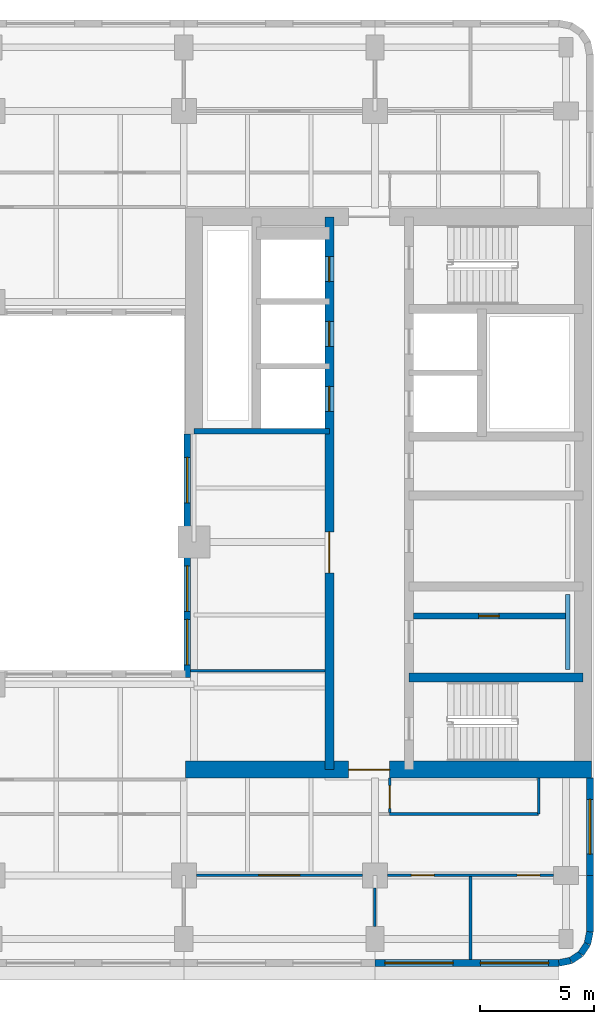
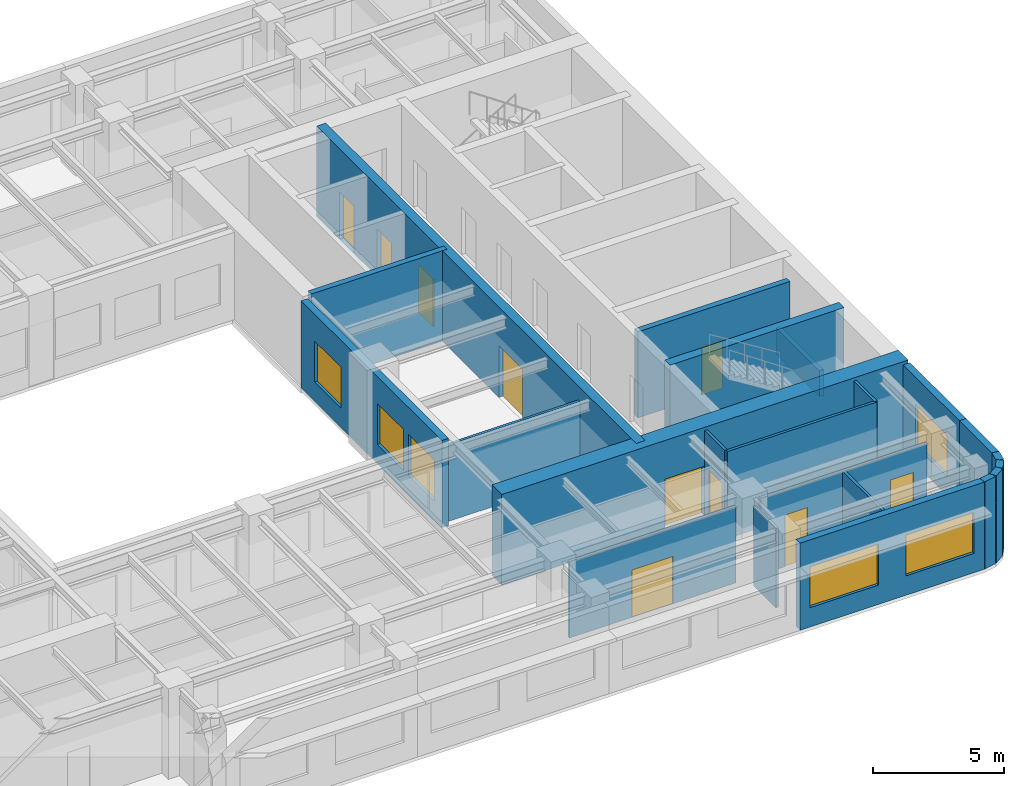
# One storey, part 5 of 11: 22 walls, 10 doors, 6 windows, 16 openings.
"""IFC4 building model written with IfcOpenShell, lengths in metres."""

from ifc_helpers import new_model, si_unit, direction, frame, frame_2d, origin, place, context, subcontext, project, spatial, rectangle, extrude, material, layer, layer_set, type_object, element, fill, save


model = new_model("IFC4")

# Units and contexts
model_context = context("Model", 3, precision=1e-05, world=origin(), true_north=direction((0.0, 1.0)))
body_context = subcontext(model_context, "Body", "Model", "MODEL_VIEW")
ifc_project = project(units=[si_unit("LENGTHUNIT", "METRE"), si_unit("AREAUNIT", "SQUARE_METRE"), si_unit("VOLUMEUNIT", "CUBIC_METRE"), si_unit("PLANEANGLEUNIT", "RADIAN"), si_unit("MASSUNIT", "GRAM", prefix="KILO")], contexts=[model_context])

# Site, building, storey
site_placement = place(None, origin())
site = spatial("IfcSite", under=ifc_project, at=site_placement, CompositionType="ELEMENT")
building_placement = place(site_placement, origin())
building = spatial("IfcBuilding", under=site, at=building_placement, Name="Claustro Exchange Tower", CompositionType="ELEMENT")
storey_placement = place(building_placement, frame((0.0, 0.0, 181.800048828125)))
storey = spatial("IfcBuildingStorey", under=building, at=storey_placement, Name="L41", CompositionType="ELEMENT", Elevation=181.800048828125)

# Wall
ifc_material_1 = material(Name="Laminated glass in aluminium frame", Category="aluminium")
ifc_layer_1 = layer(ifc_material_1, 0.1201171875)
ifc_layer_set_1 = layer_set([ifc_layer_1], Name="Laminated glass in aluminium frame")
wall_type_1 = type_object("IfcWallType", Name="P2 120 glazed partition", PredefinedType="PARTITIONING", material=ifc_layer_set_1)
wall_1_placement = place(storey_placement, frame((33.89794921875, 17.39990234375, 0.0), z_axis=(0.0, 0.0, 1.0), x_axis=(1.0, 0.0, 0.0)))
element("IfcWall", 1, at=wall_1_placement, inside=storey, type_object=wall_type_1, Name="Partition P2 L41", PredefinedType="PARTITIONING", context=body_context, shape_type="SweptSolid", body=[
    extrude(rectangle(XDim=5.904052734375, YDim=0.1201171875, at=frame_2d((2.9521484375, 0.0))), origin(), (0.0, 0.0, 1.0), 3.550048828125),
])

# Wall, opening, door
wall_2_placement = place(storey_placement, frame((34.14892578125, 8.39990234375, 0.0), z_axis=(0.0, 0.0, 1.0), x_axis=(1.0, 0.0, 0.0)))
wall_2 = element("IfcWall", 2, at=wall_2_placement, inside=storey, type_object=wall_type_1, Name="Partition P2 L41", PredefinedType="PARTITIONING", context=body_context, shape_type="SweptSolid", body=[
    extrude(rectangle(XDim=7.302001953125, YDim=0.1201171875, at=frame_2d((3.65087890625, 0.0))), origin(), (0.0, 0.0, 1.0), 3.550048828125),
])
opening_1_placement = place(wall_2_placement, frame((2.7509765625, 0.0, 0.0)))
opening_1 = element("IfcOpeningElement", 3, at=opening_1_placement, cuts=wall_2, Name="Opening D2", PredefinedType="OPENING", context=body_context, shape_type="SweptSolid", body=[
    extrude(rectangle(XDim=1.800048828125, YDim=2.199951171875, at=frame_2d((0.89990234375, 1.10009765625))), frame((0.0, 0.070068359375, 0.0), z_axis=(0.0, -1.0, 0.0), x_axis=(1.0, 0.0, 0.0)), (0.0, 0.0, 1.0), 0.14013671875),
])
ifc_material_2 = material(Name="Timber door, oak veneer", Category="wood")
door_type_1 = type_object("IfcDoorType", Name="D2 1800 x 2200 double door", OperationType="DOUBLE_DOOR_SINGLE_SWING", PredefinedType="DOOR", material=ifc_material_2)
door_1_placement = place(opening_1_placement, frame((1.800048828125, 0.0, 0.0), z_axis=(0.0, 0.0, 1.0), x_axis=(-1.0, 0.0, 0.0)))
door_1 = element("IfcDoor", 4, at=door_1_placement, inside=storey, type_object=door_type_1, Name="Double door D2 L41", OperationType="DOUBLE_DOOR_SINGLE_SWING", OverallHeight=2.199951171875, OverallWidth=1.800048828125, PredefinedType="DOOR", context=body_context, shape_type="SweptSolid", body=[
    extrude(rectangle(XDim=1.800048828125, YDim=2.199951171875, at=frame_2d((0.89990234375, 1.10009765625))), frame((0.0, 0.02490234375, 0.0), z_axis=(0.0, -1.0, 0.0), x_axis=(1.0, 0.0, 0.0)), (0.0, 0.0, 1.0), 0.050048828125),
])
fill(opening_1, door_1)

# Wall, openings, doors
wall_3_placement = place(storey_placement, frame((42.549072265625, 8.39990234375, 0.0), z_axis=(0.0, 0.0, 1.0), x_axis=(1.0, 0.0, 0.0)))
wall_3 = element("IfcWall", 5, at=wall_3_placement, inside=storey, type_object=wall_type_1, Name="Partition P2 L41", PredefinedType="PARTITIONING", context=body_context, shape_type="SweptSolid", body=[
    extrude(rectangle(XDim=7.302001953125, YDim=0.1201171875, at=frame_2d((3.65087890625, 0.0))), origin(), (0.0, 0.0, 1.0), 3.550048828125),
])
opening_2_placement = place(wall_3_placement, frame((1.051025390625, 0.0, 0.0)))
opening_2 = element("IfcOpeningElement", 6, at=opening_2_placement, cuts=wall_3, Name="Opening D7", PredefinedType="OPENING", context=body_context, shape_type="SweptSolid", body=[
    extrude(rectangle(XDim=1.0, YDim=2.39990234375, at=frame_2d((0.5, 1.199951171875))), frame((0.0, 0.070068359375, 0.0), z_axis=(0.0, -1.0, 0.0), x_axis=(1.0, 0.0, 0.0)), (0.0, 0.0, 1.0), 0.14013671875),
])
opening_3_placement = place(wall_3_placement, frame((5.700927734375, 0.0, 0.0)))
opening_3 = element("IfcOpeningElement", 7, at=opening_3_placement, cuts=wall_3, Name="Opening D7", PredefinedType="OPENING", context=body_context, shape_type="SweptSolid", body=[
    extrude(rectangle(XDim=1.0, YDim=2.39990234375, at=frame_2d((0.5, 1.199951171875))), frame((0.0, 0.070068359375, 0.0), z_axis=(0.0, -1.0, 0.0), x_axis=(1.0, 0.0, 0.0)), (0.0, 0.0, 1.0), 0.14013671875),
])
ifc_material_3 = material(Name="Glass door in aluminium frame", Category="aluminium")
door_type_2 = type_object("IfcDoorType", Name="D7 1000 x 2400 glazed door", OperationType="SINGLE_SWING_LEFT", PredefinedType="DOOR", material=ifc_material_3)
door_2_placement = place(opening_2_placement, frame((1.0, 0.0, 0.0), z_axis=(0.0, 0.0, 1.0), x_axis=(-1.0, 0.0, 0.0)))
door_2 = element("IfcDoor", 8, at=door_2_placement, inside=storey, type_object=door_type_2, Name="Door D7 L41", OperationType="SINGLE_SWING_RIGHT", OverallHeight=2.39990234375, OverallWidth=1.0, PredefinedType="DOOR", context=body_context, shape_type="SweptSolid", body=[
    extrude(rectangle(XDim=1.0, YDim=2.39990234375, at=frame_2d((0.5, 1.199951171875))), frame((0.0, 0.02490234375, 0.0), z_axis=(0.0, -1.0, 0.0), x_axis=(1.0, 0.0, 0.0)), (0.0, 0.0, 1.0), 0.050048828125),
])
fill(opening_2, door_2)
door_3_placement = place(opening_3_placement, frame((1.0, 0.0, 0.0), z_axis=(0.0, 0.0, 1.0), x_axis=(-1.0, 0.0, 0.0)))
door_3 = element("IfcDoor", 9, at=door_3_placement, inside=storey, type_object=door_type_2, Name="Door D7 L41", OperationType="SINGLE_SWING_RIGHT", OverallHeight=2.39990234375, OverallWidth=1.0, PredefinedType="DOOR", context=body_context, shape_type="SweptSolid", body=[
    extrude(rectangle(XDim=1.0, YDim=2.39990234375, at=frame_2d((0.5, 1.199951171875))), frame((0.0, 0.02490234375, 0.0), z_axis=(0.0, -1.0, 0.0), x_axis=(1.0, 0.0, 0.0)), (0.0, 0.0, 1.0), 0.050048828125),
])
fill(opening_3, door_3)

# Walls
wall_4_placement = place(storey_placement, frame((42.0, 6.14892578125, 0.0), z_axis=(0.0, 0.0, 1.0), x_axis=(0.0, 1.0, 0.0)))
element("IfcWall", 10, at=wall_4_placement, inside=storey, type_object=wall_type_1, Name="Partition P2 L41", PredefinedType="PARTITIONING", context=body_context, shape_type="SweptSolid", body=[
    extrude(rectangle(XDim=1.7021484375, YDim=0.1201171875, at=frame_2d((0.85107421875, 0.0))), origin(), (0.0, 0.0, 1.0), 3.68994140625),
])
wall_5_placement = place(storey_placement, frame((46.199951171875, 4.699951171875, 0.0), z_axis=(0.0, 0.0, 1.0), x_axis=(0.0, 1.0, 0.0)))
element("IfcWall", 11, at=wall_5_placement, inside=storey, type_object=wall_type_1, Name="Partition P2 L41", PredefinedType="PARTITIONING", context=body_context, shape_type="SweptSolid", body=[
    extrude(rectangle(XDim=3.64208984375, YDim=0.1201171875, at=frame_2d((1.821044921875, 0.0))), origin(), (0.0, 0.0, 1.0), 3.550048828125),
])

# Wall, opening, door
wall_6_placement = place(storey_placement, frame((42.64990234375, 11.157958984375, 0.0), z_axis=(0.0, 0.0, 1.0), x_axis=(0.0, 1.0, 0.0)))
wall_6 = element("IfcWall", 12, at=wall_6_placement, inside=storey, type_object=wall_type_1, Name="Partition P2 L41", PredefinedType="PARTITIONING", context=body_context, shape_type="SweptSolid", body=[
    extrude(rectangle(XDim=1.51806640625, YDim=0.1201171875, at=frame_2d((0.759033203125, 0.0))), origin(), (0.0, 0.0, 1.0), 4.050048828125),
])
opening_4_placement = place(wall_6_placement, frame((0.19189453125, 0.0, 0.0)))
opening_4 = element("IfcOpeningElement", 13, at=opening_4_placement, cuts=wall_6, Name="Opening D7", PredefinedType="OPENING", context=body_context, shape_type="SweptSolid", body=[
    extrude(rectangle(XDim=1.0, YDim=2.39990234375, at=frame_2d((0.5, 1.199951171875))), frame((0.0, 0.070068359375, 0.0), z_axis=(0.0, -1.0, 0.0), x_axis=(1.0, 0.0, 0.0)), (0.0, 0.0, 1.0), 0.14013671875),
])
door_4_placement = place(opening_4_placement, frame((1.0, 0.0, 0.0), z_axis=(0.0, 0.0, 1.0), x_axis=(-1.0, 0.0, 0.0)))
door_4 = element("IfcDoor", 14, at=door_4_placement, inside=storey, type_object=door_type_2, Name="Door D7 L41", OperationType="SINGLE_SWING_RIGHT", OverallHeight=2.39990234375, OverallWidth=1.0, PredefinedType="DOOR", context=body_context, shape_type="SweptSolid", body=[
    extrude(rectangle(XDim=1.0, YDim=2.39990234375, at=frame_2d((0.5, 1.199951171875))), frame((0.0, 0.02490234375, 0.0), z_axis=(0.0, -1.0, 0.0), x_axis=(1.0, 0.0, 0.0)), (0.0, 0.0, 1.0), 0.050048828125),
])
fill(opening_4, door_4)

# Walls
wall_7_placement = place(storey_placement, frame((42.64794921875, 11.10009765625, 0.0), z_axis=(0.0, 0.0, 1.0), x_axis=(1.0, 0.0, 0.0)))
element("IfcWall", 15, at=wall_7_placement, inside=storey, type_object=wall_type_1, Name="Partition P2 L41", PredefinedType="PARTITIONING", context=body_context, shape_type="SweptSolid", body=[
    extrude(rectangle(XDim=6.552001953125, YDim=0.1201171875, at=frame_2d((3.27587890625, 0.0))), origin(), (0.0, 0.0, 1.0), 4.050048828125),
])
wall_8_placement = place(storey_placement, frame((49.199951171875, 11.10009765625, 0.0), z_axis=(0.0, 0.0, 1.0), x_axis=(0.0, 1.0, 0.0)))
element("IfcWall", 16, at=wall_8_placement, inside=storey, type_object=wall_type_1, Name="Partition P2 L41", PredefinedType="PARTITIONING", context=body_context, shape_type="SweptSolid", body=[
    extrude(rectangle(XDim=1.575927734375, YDim=0.1201171875, at=frame_2d((0.7880859375, 0.0))), origin(), (0.0, 0.0, 1.0), 4.050048828125),
])

# Wall, opening, door
ifc_material_4 = material(Name="Concrete blockwork, rendered", Category="masonry")
ifc_layer_2 = layer(ifc_material_4, 0.25)
ifc_layer_set_2 = layer_set([ifc_layer_2], Name="Concrete blockwork, rendered")
wall_type_2 = type_object("IfcWallType", Name="P4 250 blockwork wall", PredefinedType="PARTITIONING", material=ifc_layer_set_2)
wall_9_placement = place(storey_placement, frame((43.699951171875, 19.800048828125, 0.0), z_axis=(0.0, 0.0, 1.0), x_axis=(1.0, 0.0, 0.0)))
wall_9 = element("IfcWall", 17, at=wall_9_placement, inside=storey, type_object=wall_type_2, Name="Partition P4 L41", PredefinedType="PARTITIONING", context=body_context, shape_type="SweptSolid", body=[
    extrude(rectangle(XDim=6.675048828125, YDim=0.25, at=frame_2d((3.33740234375, 0.0))), origin(), (0.0, 0.0, 1.0), 4.0),
])
opening_5_placement = place(wall_9_placement, frame((2.862548828125, 0.0, 0.0)))
opening_5 = element("IfcOpeningElement", 18, at=opening_5_placement, cuts=wall_9, Name="Opening D5", PredefinedType="OPENING", context=body_context, shape_type="SweptSolid", body=[
    extrude(rectangle(XDim=0.89990234375, YDim=2.199951171875, at=frame_2d((0.449951171875, 1.10009765625))), frame((0.0, 0.135009765625, 0.0), z_axis=(0.0, -1.0, 0.0), x_axis=(1.0, 0.0, 0.0)), (0.0, 0.0, 1.0), 0.27001953125),
])
ifc_material_5 = material(Name="Steel door, painted", Category="steel")
door_type_3 = type_object("IfcDoorType", Name="D5 900 x 2200 store door", OperationType="SINGLE_SWING_LEFT", PredefinedType="DOOR", material=ifc_material_5)
door_5_placement = place(opening_5_placement, origin())
door_5 = element("IfcDoor", 19, at=door_5_placement, inside=storey, type_object=door_type_3, Name="Store door D5 L41", OperationType="SINGLE_SWING_LEFT", OverallHeight=2.199951171875, OverallWidth=0.89990234375, PredefinedType="DOOR", context=body_context, shape_type="SweptSolid", body=[
    extrude(rectangle(XDim=0.89990234375, YDim=2.199951171875, at=frame_2d((0.449951171875, 1.10009765625))), frame((0.0, 0.02490234375, 0.0), z_axis=(0.0, -1.0, 0.0), x_axis=(1.0, 0.0, 0.0)), (0.0, 0.0, 1.0), 0.050048828125),
])
fill(opening_5, door_5)

# Wall, openings, windows
ifc_material_6 = material(Name="Concrete HA-40 (C40/50), precast, white cement, acid-etched", Category="concrete")
ifc_layer_3 = layer(ifc_material_6, 0.300048828125)
ifc_layer_set_3 = layer_set([ifc_layer_3], Name="Concrete HA-40 (C40/50), precast, white cement, acid-etched")
wall_type_3 = type_object("IfcWallType", Name="PC1 300 precast concrete pier panel", PredefinedType="SOLIDWALL", material=ifc_layer_set_3)
wall_10_placement = place(storey_placement, frame((50.085205078125, 4.550048828125, 0.0), z_axis=(0.0, 0.0, 1.0), x_axis=(-1.0, 0.0, 0.0)))
wall_10 = element("IfcWall", 20, at=wall_10_placement, inside=storey, type_object=wall_type_3, Name="Precast pier panel PC1 L41", PredefinedType="SOLIDWALL", context=body_context, shape_type="SweptSolid", body=[
    extrude(rectangle(XDim=8.085205078125, YDim=0.300048828125, at=frame_2d((4.04248046875, 0.0))), origin(), (0.0, 0.0, 1.0), 4.050048828125),
])
opening_6_placement = place(wall_10_placement, frame((0.442626953125, 0.0, 0.89990234375)))
opening_6 = element("IfcOpeningElement", 21, at=opening_6_placement, cuts=wall_10, Name="Opening W1", PredefinedType="OPENING", context=body_context, shape_type="SweptSolid", body=[
    extrude(rectangle(XDim=3.0, YDim=1.89990234375, at=frame_2d((1.5, 0.949951171875))), frame((0.0, 0.159912109375, 0.0), z_axis=(0.0, -1.0, 0.0), x_axis=(1.0, 0.0, 0.0)), (0.0, 0.0, 1.0), 0.320068359375),
])
opening_7_placement = place(wall_10_placement, frame((4.642578125, 0.0, 0.89990234375)))
opening_7 = element("IfcOpeningElement", 22, at=opening_7_placement, cuts=wall_10, Name="Opening W1", PredefinedType="OPENING", context=body_context, shape_type="SweptSolid", body=[
    extrude(rectangle(XDim=3.0, YDim=1.89990234375, at=frame_2d((1.5, 0.949951171875))), frame((0.0, 0.159912109375, 0.0), z_axis=(0.0, -1.0, 0.0), x_axis=(1.0, 0.0, 0.0)), (0.0, 0.0, 1.0), 0.320068359375),
])
ifc_material_7 = material(Name="Aluminium frame, clear double glazing", Category="aluminium")
window_type_1 = type_object("IfcWindowType", Name="W1 3000 x 1900 window", PartitioningType="SINGLE_PANEL", PredefinedType="WINDOW", material=ifc_material_7)
window_1_placement = place(opening_6_placement, origin())
window_1 = element("IfcWindow", 23, at=window_1_placement, inside=storey, type_object=window_type_1, Name="Window W1 L41", OverallHeight=1.89990234375, OverallWidth=3.0, PartitioningType="SINGLE_PANEL", PredefinedType="WINDOW", context=body_context, shape_type="SweptSolid", body=[
    extrude(rectangle(XDim=3.0, YDim=1.89990234375, at=frame_2d((1.5, 0.949951171875))), frame((0.0, 0.030029296875, 0.0), z_axis=(0.0, -1.0, 0.0), x_axis=(1.0, 0.0, 0.0)), (0.0, 0.0, 1.0), 0.06005859375),
])
fill(opening_6, window_1)
window_2_placement = place(opening_7_placement, origin())
window_2 = element("IfcWindow", 24, at=window_2_placement, inside=storey, type_object=window_type_1, Name="Window W1 L41", OverallHeight=1.89990234375, OverallWidth=3.0, PartitioningType="SINGLE_PANEL", PredefinedType="WINDOW", context=body_context, shape_type="SweptSolid", body=[
    extrude(rectangle(XDim=3.0, YDim=1.89990234375, at=frame_2d((1.5, 0.949951171875))), frame((0.0, 0.030029296875, 0.0), z_axis=(0.0, -1.0, 0.0), x_axis=(1.0, 0.0, 0.0)), (0.0, 0.0, 1.0), 0.06005859375),
])
fill(opening_7, window_2)

# Wall, opening, window
wall_11_placement = place(storey_placement, frame((51.449951171875, 12.675048828125, 0.0), z_axis=(0.0, 0.0, 1.0), x_axis=(0.0, -1.0, 0.0)))
wall_11 = element("IfcWall", 25, at=wall_11_placement, inside=storey, type_object=wall_type_3, Name="Precast pier panel PC1 L41", PredefinedType="SOLIDWALL", context=body_context, shape_type="SweptSolid", body=[
    extrude(rectangle(XDim=4.275146484375, YDim=0.300048828125, at=frame_2d((2.1376953125, 0.0))), origin(), (0.0, 0.0, 1.0), 4.050048828125),
])
opening_8_placement = place(wall_11_placement, frame((0.9375, 0.0, 0.89990234375)))
opening_8 = element("IfcOpeningElement", 26, at=opening_8_placement, cuts=wall_11, Name="Opening W2", PredefinedType="OPENING", context=body_context, shape_type="SweptSolid", body=[
    extrude(rectangle(XDim=2.39990234375, YDim=1.89990234375, at=frame_2d((1.199951171875, 0.949951171875))), frame((0.0, 0.159912109375, 0.0), z_axis=(0.0, -1.0, 0.0), x_axis=(1.0, 0.0, 0.0)), (0.0, 0.0, 1.0), 0.320068359375),
])
ifc_material_8 = material(Name="Aluminium frame, clear double glazing", Category="aluminium")
window_type_2 = type_object("IfcWindowType", Name="W2 2400 x 1900 window", PartitioningType="SINGLE_PANEL", PredefinedType="WINDOW", material=ifc_material_8)
window_3_placement = place(opening_8_placement, origin())
window_3 = element("IfcWindow", 27, at=window_3_placement, inside=storey, type_object=window_type_2, Name="Window W2 L41", OverallHeight=1.89990234375, OverallWidth=2.39990234375, PartitioningType="SINGLE_PANEL", PredefinedType="WINDOW", context=body_context, shape_type="SweptSolid", body=[
    extrude(rectangle(XDim=2.39990234375, YDim=1.89990234375, at=frame_2d((1.199951171875, 0.949951171875))), frame((0.0, 0.030029296875, 0.0), z_axis=(0.0, -1.0, 0.0), x_axis=(1.0, 0.0, 0.0)), (0.0, 0.0, 1.0), 0.06005859375),
])
fill(opening_8, window_3)

# Walls
wall_12_placement = place(storey_placement, frame((51.449951171875, 8.39990234375, 0.0), z_axis=(0.0, 0.0, 1.0), x_axis=(0.0, -1.0, 0.0)))
element("IfcWall", 28, at=wall_12_placement, inside=storey, type_object=wall_type_3, Name="Precast pier panel PC1 L41", PredefinedType="SOLIDWALL", context=body_context, shape_type="SweptSolid", body=[
    extrude(rectangle(XDim=2.485107421875, YDim=0.300048828125, at=frame_2d((1.24267578125, 0.0))), origin(), (0.0, 0.0, 1.0), 4.050048828125),
])
wall_13_placement = place(storey_placement, frame((51.449951171875, 5.914794921875, 0.0), z_axis=(0.0, 0.0, 1.0), x_axis=(-0.195073962632, -0.980788534345, 0.0)))
element("IfcWall", 29, at=wall_13_placement, inside=storey, type_object=wall_type_3, Name="Precast pier panel PC1 L41", PredefinedType="SOLIDWALL", context=body_context, shape_type="SweptSolid", body=[
    extrude(rectangle(XDim=0.540771484375, YDim=0.300048828125, at=frame_2d((0.2705078125, 0.0))), origin(), (0.0, 0.0, 1.0), 4.050048828125),
])
for number, where, z_axis, x_axis, name in (
    (30, (51.344482421875, 5.384521484375, 0.0), (0.0, 0.0, 1.0), (-0.555557463938, -0.831478144188, 0.0), "Precast pier panel PC1 L41"),
    (31, (51.052490234375, 4.947509765625, 0.0), (0.0, 0.0, 1.0), (-0.831478144188, -0.555557463938, 0.0), "Precast pier panel PC1 L41"),
):
    element("IfcWall", number, at=place(storey_placement, frame(where, z_axis=z_axis, x_axis=x_axis)), inside=storey, type_object=wall_type_3, Name=name, PredefinedType="SOLIDWALL", context=body_context, shape_type="SweptSolid", body=[
        extrude(rectangle(XDim=0.525634765625, YDim=0.300048828125, at=frame_2d((0.2626953125, 0.0))), origin(), (0.0, 0.0, 1.0), 4.050048828125),
    ])
wall_14_placement = place(storey_placement, frame((50.615478515625, 4.655517578125, 0.0), z_axis=(0.0, 0.0, 1.0), x_axis=(-0.980788534345, -0.195073962632, 0.0)))
element("IfcWall", 32, at=wall_14_placement, inside=storey, type_object=wall_type_3, Name="Precast pier panel PC1 L41", PredefinedType="SOLIDWALL", context=body_context, shape_type="SweptSolid", body=[
    extrude(rectangle(XDim=0.540771484375, YDim=0.300048828125, at=frame_2d((0.2705078125, 0.0))), origin(), (0.0, 0.0, 1.0), 4.050048828125),
])

# Wall, openings, windows
wall_15_placement = place(storey_placement, frame((33.75, 17.10009765625, 0.0), z_axis=(0.0, 0.0, 1.0), x_axis=(0.0, 1.0, 0.0)))
wall_15 = element("IfcWall", 33, at=wall_15_placement, inside=storey, type_object=wall_type_3, Name="Precast pier panel PC1 L41", PredefinedType="SOLIDWALL", context=body_context, shape_type="SweptSolid", body=[
    extrude(rectangle(XDim=10.699951171875, YDim=0.300048828125, at=frame_2d((5.35009765625, 0.0))), origin(), (0.0, 0.0, 1.0), 4.050048828125),
])
opening_9_placement = place(wall_15_placement, frame((0.550048828125, 0.0, 0.89990234375)))
opening_9 = element("IfcOpeningElement", 34, at=opening_9_placement, cuts=wall_15, Name="Opening W4", PredefinedType="OPENING", context=body_context, shape_type="SweptSolid", body=[
    extrude(rectangle(XDim=2.0, YDim=1.89990234375, at=frame_2d((1.0, 0.949951171875))), frame((0.0, 0.159912109375, 0.0), z_axis=(0.0, -1.0, 0.0), x_axis=(1.0, 0.0, 0.0)), (0.0, 0.0, 1.0), 0.320068359375),
])
opening_10_placement = place(wall_15_placement, frame((2.89990234375, 0.0, 0.89990234375)))
opening_10 = element("IfcOpeningElement", 35, at=opening_10_placement, cuts=wall_15, Name="Opening W4", PredefinedType="OPENING", context=body_context, shape_type="SweptSolid", body=[
    extrude(rectangle(XDim=2.0, YDim=1.89990234375, at=frame_2d((1.0, 0.949951171875))), frame((0.0, 0.159912109375, 0.0), z_axis=(0.0, -1.0, 0.0), x_axis=(1.0, 0.0, 0.0)), (0.0, 0.0, 1.0), 0.320068359375),
])
opening_11_placement = place(wall_15_placement, frame((7.675048828125, 0.0, 0.89990234375)))
opening_11 = element("IfcOpeningElement", 36, at=opening_11_placement, cuts=wall_15, Name="Opening W4", PredefinedType="OPENING", context=body_context, shape_type="SweptSolid", body=[
    extrude(rectangle(XDim=2.0, YDim=1.89990234375, at=frame_2d((1.0, 0.949951171875))), frame((0.0, 0.159912109375, 0.0), z_axis=(0.0, -1.0, 0.0), x_axis=(1.0, 0.0, 0.0)), (0.0, 0.0, 1.0), 0.320068359375),
])
ifc_material_9 = material(Name="Aluminium frame, clear double glazing", Category="aluminium")
window_type_3 = type_object("IfcWindowType", Name="W4 2000 x 1900 light well window", PartitioningType="SINGLE_PANEL", PredefinedType="WINDOW", material=ifc_material_9)
window_4_placement = place(opening_9_placement, origin())
window_4 = element("IfcWindow", 37, at=window_4_placement, inside=storey, type_object=window_type_3, Name="Window W4 L41", OverallHeight=1.89990234375, OverallWidth=2.0, PartitioningType="SINGLE_PANEL", PredefinedType="WINDOW", context=body_context, shape_type="SweptSolid", body=[
    extrude(rectangle(XDim=2.0, YDim=1.89990234375, at=frame_2d((1.0, 0.949951171875))), frame((0.0, 0.030029296875, 0.0), z_axis=(0.0, -1.0, 0.0), x_axis=(1.0, 0.0, 0.0)), (0.0, 0.0, 1.0), 0.06005859375),
])
fill(opening_9, window_4)
window_5_placement = place(opening_10_placement, origin())
window_5 = element("IfcWindow", 38, at=window_5_placement, inside=storey, type_object=window_type_3, Name="Window W4 L41", OverallHeight=1.89990234375, OverallWidth=2.0, PartitioningType="SINGLE_PANEL", PredefinedType="WINDOW", context=body_context, shape_type="SweptSolid", body=[
    extrude(rectangle(XDim=2.0, YDim=1.89990234375, at=frame_2d((1.0, 0.949951171875))), frame((0.0, 0.030029296875, 0.0), z_axis=(0.0, -1.0, 0.0), x_axis=(1.0, 0.0, 0.0)), (0.0, 0.0, 1.0), 0.06005859375),
])
fill(opening_10, window_5)
window_6_placement = place(opening_11_placement, origin())
window_6 = element("IfcWindow", 39, at=window_6_placement, inside=storey, type_object=window_type_3, Name="Window W4 L41", OverallHeight=1.89990234375, OverallWidth=2.0, PartitioningType="SINGLE_PANEL", PredefinedType="WINDOW", context=body_context, shape_type="SweptSolid", body=[
    extrude(rectangle(XDim=2.0, YDim=1.89990234375, at=frame_2d((1.0, 0.949951171875))), frame((0.0, 0.030029296875, 0.0), z_axis=(0.0, -1.0, 0.0), x_axis=(1.0, 0.0, 0.0)), (0.0, 0.0, 1.0), 0.06005859375),
])
fill(opening_11, window_6)

# Wall
ifc_material_10 = material(Name="Gypsum board on steel studs, tiled", Category="steel")
ifc_layer_4 = layer(ifc_material_10, 0.199951171875)
ifc_layer_set_4 = layer_set([ifc_layer_4], Name="Gypsum board on steel studs, tiled")
wall_type_4 = type_object("IfcWallType", Name="PW1 200 WC duct wall", PredefinedType="PLUMBINGWALL", material=ifc_layer_set_4)
wall_16_placement = place(storey_placement, frame((50.47509765625, 17.449951171875, 0.0), z_axis=(0.0, 0.0, 1.0), x_axis=(0.0, 1.0, 0.0)))
element("IfcWall", 40, at=wall_16_placement, inside=storey, type_object=wall_type_4, Name="WC duct wall PW1 L41", PredefinedType="PLUMBINGWALL", context=body_context, shape_type="SweptSolid", body=[
    extrude(rectangle(XDim=3.300048828125, YDim=0.199951171875, at=frame_2d((1.64990234375, 0.0))), origin(), (0.0, 0.0, 1.0), 1.199951171875),
])

# Wall, opening, door
ifc_material_11 = material(Name="Concrete HA-70 (C70/85)", Category="concrete")
ifc_layer_5 = layer(ifc_material_11, 0.75)
ifc_layer_set_5 = layer_set([ifc_layer_5], Name="Concrete HA-70 (C70/85)")
wall_type_5 = type_object("IfcWallType", Name="SW2 750 core shear wall", PredefinedType="SHEAR", material=ifc_layer_set_5)
wall_17_placement = place(storey_placement, frame((33.675048828125, 13.050048828125, 0.0), z_axis=(0.0, 0.0, 1.0), x_axis=(1.0, 0.0, 0.0)))
wall_17 = element("IfcWall", 41, at=wall_17_placement, inside=storey, type_object=wall_type_5, Name="Core wall SW2 E core S face L41", PredefinedType="SHEAR", context=body_context, shape_type="SweptSolid", body=[
    extrude(rectangle(XDim=17.849853515625, YDim=0.75, at=frame_2d((8.9248046875, 0.0))), origin(), (0.0, 0.0, 1.0), 4.199951171875),
])
opening_12_placement = place(wall_17_placement, frame((7.175048828125, 0.0, 0.0)))
opening_12 = element("IfcOpeningElement", 42, at=opening_12_placement, cuts=wall_17, Name="Opening D3", PredefinedType="OPENING", context=body_context, shape_type="SweptSolid", body=[
    extrude(rectangle(XDim=1.800048828125, YDim=2.39990234375, at=frame_2d((0.89990234375, 1.199951171875))), frame((0.0, 0.385009765625, 0.0), z_axis=(0.0, -1.0, 0.0), x_axis=(1.0, 0.0, 0.0)), (0.0, 0.0, 1.0), 0.77001953125),
])
ifc_material_12 = material(Name="Steel fire door, painted", Category="steel")
door_type_4 = type_object("IfcDoorType", Name="D3 1800 x 2400 fire-rated lobby double door", OperationType="DOUBLE_DOOR_SINGLE_SWING", PredefinedType="DOOR", material=ifc_material_12)
door_6_placement = place(opening_12_placement, origin())
door_6 = element("IfcDoor", 43, at=door_6_placement, inside=storey, type_object=door_type_4, Name="Lift lobby door D3 L41", OperationType="DOUBLE_DOOR_SINGLE_SWING", OverallHeight=2.39990234375, OverallWidth=1.800048828125, PredefinedType="DOOR", context=body_context, shape_type="SweptSolid", body=[
    extrude(rectangle(XDim=1.800048828125, YDim=2.39990234375, at=frame_2d((0.89990234375, 1.199951171875))), frame((0.0, 0.02490234375, 0.0), z_axis=(0.0, -1.0, 0.0), x_axis=(1.0, 0.0, 0.0)), (0.0, 0.0, 1.0), 0.050048828125),
])
fill(opening_12, door_6)

# Wall, openings, doors
ifc_material_13 = material(Name="Concrete HA-50 (C50/60)", Category="concrete")
ifc_layer_6 = layer(ifc_material_13, 0.39990234375)
ifc_layer_set_6 = layer_set([ifc_layer_6], Name="Concrete HA-50 (C50/60)")
wall_type_6 = type_object("IfcWallType", Name="SW4 400 internal core wall", PredefinedType="SHEAR", material=ifc_layer_set_6)
wall_18_placement = place(storey_placement, frame((40.0, 13.050048828125, 0.0), z_axis=(0.0, 0.0, 1.0), x_axis=(0.0, 1.0, 0.0)))
wall_18 = element("IfcWall", 44, at=wall_18_placement, inside=storey, type_object=wall_type_6, Name="Internal core wall SW4 E core L41", PredefinedType="SHEAR", context=body_context, shape_type="SweptSolid", body=[
    extrude(rectangle(XDim=24.300048828125, YDim=0.39990234375, at=frame_2d((12.14990234375, 0.0))), origin(), (0.0, 0.0, 1.0), 4.199951171875),
])
opening_13_placement = place(wall_18_placement, frame((15.75, 0.0, 0.0)))
opening_13 = element("IfcOpeningElement", 45, at=opening_13_placement, cuts=wall_18, Name="Opening LD", PredefinedType="OPENING", context=body_context, shape_type="SweptSolid", body=[
    extrude(rectangle(XDim=1.10009765625, YDim=2.199951171875, at=frame_2d((0.550048828125, 1.10009765625))), frame((0.0, 0.2099609375, 0.0), z_axis=(0.0, -1.0, 0.0), x_axis=(1.0, 0.0, 0.0)), (0.0, 0.0, 1.0), 0.419921875),
])
opening_14_placement = place(wall_18_placement, frame((18.60009765625, 0.0, 0.0)))
opening_14 = element("IfcOpeningElement", 46, at=opening_14_placement, cuts=wall_18, Name="Opening LD", PredefinedType="OPENING", context=body_context, shape_type="SweptSolid", body=[
    extrude(rectangle(XDim=1.10009765625, YDim=2.199951171875, at=frame_2d((0.550048828125, 1.10009765625))), frame((0.0, 0.2099609375, 0.0), z_axis=(0.0, -1.0, 0.0), x_axis=(1.0, 0.0, 0.0)), (0.0, 0.0, 1.0), 0.419921875),
])
opening_15_placement = place(wall_18_placement, frame((21.449951171875, 0.0, 0.0)))
opening_15 = element("IfcOpeningElement", 47, at=opening_15_placement, cuts=wall_18, Name="Opening LD", PredefinedType="OPENING", context=body_context, shape_type="SweptSolid", body=[
    extrude(rectangle(XDim=1.10009765625, YDim=2.199951171875, at=frame_2d((0.550048828125, 1.10009765625))), frame((0.0, 0.2099609375, 0.0), z_axis=(0.0, -1.0, 0.0), x_axis=(1.0, 0.0, 0.0)), (0.0, 0.0, 1.0), 0.419921875),
])
opening_16_placement = place(wall_18_placement, frame((8.64990234375, 0.0, 0.0)))
opening_16 = element("IfcOpeningElement", 48, at=opening_16_placement, cuts=wall_18, Name="Opening D3", PredefinedType="OPENING", context=body_context, shape_type="SweptSolid", body=[
    extrude(rectangle(XDim=1.800048828125, YDim=2.39990234375, at=frame_2d((0.89990234375, 1.199951171875))), frame((0.0, 0.2099609375, 0.0), z_axis=(0.0, -1.0, 0.0), x_axis=(1.0, 0.0, 0.0)), (0.0, 0.0, 1.0), 0.419921875),
])
door_7_placement = place(opening_16_placement, origin())
door_7 = element("IfcDoor", 49, at=door_7_placement, inside=storey, type_object=door_type_4, Name="Core zone door D3 L41", OperationType="DOUBLE_DOOR_SINGLE_SWING", OverallHeight=2.39990234375, OverallWidth=1.800048828125, PredefinedType="DOOR", context=body_context, shape_type="SweptSolid", body=[
    extrude(rectangle(XDim=1.800048828125, YDim=2.39990234375, at=frame_2d((0.89990234375, 1.199951171875))), frame((0.0, 0.02490234375, 0.0), z_axis=(0.0, -1.0, 0.0), x_axis=(1.0, 0.0, 0.0)), (0.0, 0.0, 1.0), 0.050048828125),
])
fill(opening_16, door_7)
ifc_material_14 = material(Name="Stainless steel sliding door", Category="steel")
door_type_5 = type_object("IfcDoorType", Name="LD 1100 x 2200 lift landing door", OperationType="DOUBLE_DOOR_SLIDING", PredefinedType="DOOR", material=ifc_material_14)
door_8_placement = place(opening_13_placement, origin())
door_8 = element("IfcDoor", 50, at=door_8_placement, inside=storey, type_object=door_type_5, Name="Lift landing door LHE1 LD L41", OperationType="DOUBLE_DOOR_SLIDING", OverallHeight=2.199951171875, OverallWidth=1.10009765625, PredefinedType="DOOR", context=body_context, shape_type="SweptSolid", body=[
    extrude(rectangle(XDim=1.10009765625, YDim=2.199951171875, at=frame_2d((0.550048828125, 1.10009765625))), frame((0.0, 0.02490234375, 0.0), z_axis=(0.0, -1.0, 0.0), x_axis=(1.0, 0.0, 0.0)), (0.0, 0.0, 1.0), 0.050048828125),
])
fill(opening_13, door_8)
door_9_placement = place(opening_14_placement, origin())
door_9 = element("IfcDoor", 51, at=door_9_placement, inside=storey, type_object=door_type_5, Name="Lift landing door LHE2 LD L41", OperationType="DOUBLE_DOOR_SLIDING", OverallHeight=2.199951171875, OverallWidth=1.10009765625, PredefinedType="DOOR", context=body_context, shape_type="SweptSolid", body=[
    extrude(rectangle(XDim=1.10009765625, YDim=2.199951171875, at=frame_2d((0.550048828125, 1.10009765625))), frame((0.0, 0.02490234375, 0.0), z_axis=(0.0, -1.0, 0.0), x_axis=(1.0, 0.0, 0.0)), (0.0, 0.0, 1.0), 0.050048828125),
])
fill(opening_14, door_9)
door_10_placement = place(opening_15_placement, origin())
door_10 = element("IfcDoor", 52, at=door_10_placement, inside=storey, type_object=door_type_5, Name="Lift landing door LSE1 LD L41", OperationType="DOUBLE_DOOR_SLIDING", OverallHeight=2.199951171875, OverallWidth=1.10009765625, PredefinedType="DOOR", context=body_context, shape_type="SweptSolid", body=[
    extrude(rectangle(XDim=1.10009765625, YDim=2.199951171875, at=frame_2d((0.550048828125, 1.10009765625))), frame((0.0, 0.02490234375, 0.0), z_axis=(0.0, -1.0, 0.0), x_axis=(1.0, 0.0, 0.0)), (0.0, 0.0, 1.0), 0.050048828125),
])
fill(opening_15, door_10)

# Walls
wall_19_placement = place(storey_placement, frame((51.14990234375, 17.10009765625, 0.0), z_axis=(0.0, 0.0, 1.0), x_axis=(-1.0, 0.0, 0.0)))
element("IfcWall", 53, at=wall_19_placement, inside=storey, type_object=wall_type_6, Name="Internal core wall SW4 E core L41", PredefinedType="SHEAR", context=body_context, shape_type="SweptSolid", body=[
    extrude(rectangle(XDim=7.64990234375, YDim=0.39990234375, at=frame_2d((3.824951171875, 0.0))), origin(), (0.0, 0.0, 1.0), 4.199951171875),
])
ifc_material_15 = material(Name="Concrete HA-50 (C50/60)", Category="concrete")
ifc_layer_7 = layer(ifc_material_15, 0.25)
ifc_layer_set_7 = layer_set([ifc_layer_7], Name="Concrete HA-50 (C50/60)")
wall_type_7 = type_object("IfcWallType", Name="SW5 250 lift shaft divider wall", PredefinedType="SHEAR", material=ifc_layer_set_7)
wall_20_placement = place(storey_placement, frame((40.0, 27.925048828125, 0.0), z_axis=(0.0, 0.0, 1.0), x_axis=(-1.0, 0.0, 0.0)))
element("IfcWall", 54, at=wall_20_placement, inside=storey, type_object=wall_type_7, Name="Core step wall E core L41", PredefinedType="SHEAR", context=body_context, shape_type="SweptSolid", body=[
    extrude(rectangle(XDim=5.949951171875, YDim=0.25, at=frame_2d((2.97509765625, 0.0))), origin(), (0.0, 0.0, 1.0), 4.199951171875),
])

save(model, "model.ifc")
